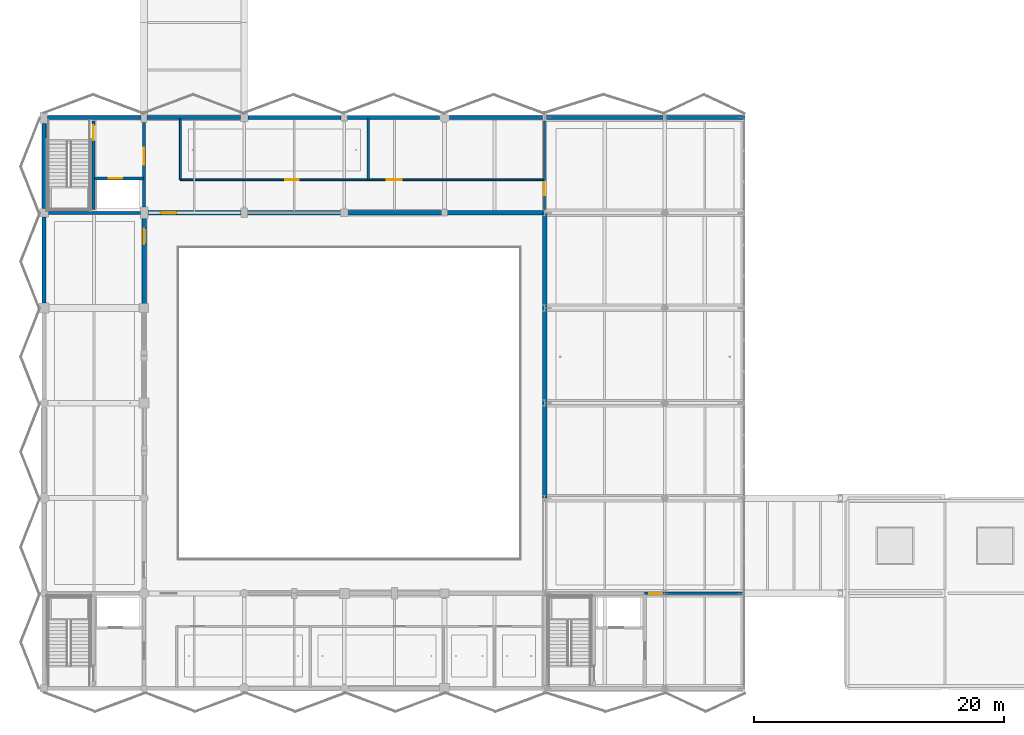
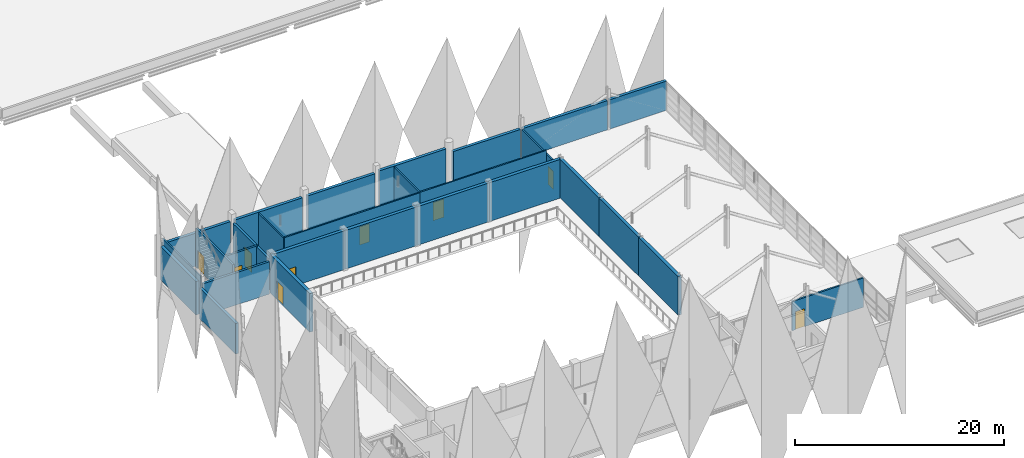
# One storey, part 70 of 107: 28 walls, 9 doors, 9 openings.
"""IFC4 building model written with IfcOpenShell, lengths in metres."""

import ifcopenshell
import ifcopenshell.guid

model = None  # the IFC model being written
_history = None  # IfcOwnerHistory: only IFC2X3 demands one
_inside = {}  # id of a spatial element -> (the spatial element, [elements in it])
_under = {}  # id of a project, library or spatial element -> (it, [spatial elements below it])
_declared = {}  # id of a project -> (the project, [libraries it declares])
_typed = {}  # id of a type object -> (the type object, [elements of that type])
_made_of = {}  # id of a material, layer set ... -> (it, [elements and type objects made of it])


def new_model(schema):
    """Start an empty IFC model of exactly this schema.

    Asked for "IFC4X3", IfcOpenShell would pick the latest addendum, in which some entities
    have other attributes; the version numbers below select the first issue.
    IFC2X3 requires an IfcOwnerHistory on every rooted entity: one is made here for all.
    """
    global model, _history
    if schema == "IFC4X3":
        model = ifcopenshell.file(schema_version=(4, 3, 0, 0))
    else:
        model = ifcopenshell.file(schema=schema)
    _inside.clear()
    _under.clear()
    _declared.clear()
    _typed.clear()
    _made_of.clear()
    _history = None
    if model.schema == "IFC2X3":
        org = make("IfcOrganization", Name="unknown")
        user = make(
            "IfcPersonAndOrganization",
            ThePerson=make("IfcPerson", FamilyName="unknown"),
            TheOrganization=org,
        )
        app = make(
            "IfcApplication",
            ApplicationDeveloper=org,
            Version="unknown",
            ApplicationFullName="unknown",
            ApplicationIdentifier="unknown",
        )
        _history = make(
            "IfcOwnerHistory",
            OwningUser=user,
            OwningApplication=app,
            ChangeAction="ADDED",
            CreationDate=0,
        )
    return model


def make(cls, **values):
    """One entity of the class cls with the attributes given. An attribute that is None is left unset."""
    return model.create_entity(
        cls, **{name: value for name, value in values.items() if value is not None}
    )


def rooted(cls, **values):
    """An entity with a GlobalId (a new one), such as an element, a storey or a relation."""
    return make(cls, GlobalId=ifcopenshell.guid.new(), OwnerHistory=_history, **values)


def si_unit(unit_type, name, prefix=None):
    """IfcSIUnit, for example si_unit("LENGTHUNIT", "METRE", prefix="MILLI")."""
    return make("IfcSIUnit", UnitType=unit_type, Prefix=prefix, Name=name)


def assignment(units):
    """IfcUnitAssignment: the units of a project."""
    return None if units is None else make("IfcUnitAssignment", Units=units)


def point(xyz):
    """IfcCartesianPoint."""
    return None if xyz is None else make("IfcCartesianPoint", Coordinates=xyz)


def direction(xyz):
    """IfcDirection."""
    return None if xyz is None else make("IfcDirection", DirectionRatios=xyz)


def frame(location, z_axis=None, x_axis=None):
    """IfcAxis2Placement3D, a coordinate frame: its origin and axes. An axis left out is left unset."""
    return make(
        "IfcAxis2Placement3D",
        Location=point(location),
        Axis=direction(z_axis),
        RefDirection=direction(x_axis),
    )


def frame_2d(location, x_axis=None):
    """IfcAxis2Placement2D, a coordinate frame in the plane: its origin and x axis."""
    return make(
        "IfcAxis2Placement2D", Location=point(location), RefDirection=direction(x_axis)
    )


def origin():
    """The frame at (0, 0, 0) with its axes left unset."""
    return frame((0.0, 0.0, 0.0))


def place(relative_to, where):
    """IfcLocalPlacement: puts the frame where relative to a parent placement (None: the world)."""
    return make(
        "IfcLocalPlacement", PlacementRelTo=relative_to, RelativePlacement=where
    )


def context(
    kind, dimensions, precision=None, world=None, true_north=None, identifier=None
):
    """IfcGeometricRepresentationContext, for example the 3D "Model" context."""
    return make(
        "IfcGeometricRepresentationContext",
        ContextIdentifier=identifier,
        ContextType=kind,
        CoordinateSpaceDimension=dimensions,
        Precision=precision,
        WorldCoordinateSystem=world,
        TrueNorth=true_north,
    )


def subcontext(parent, identifier, kind, view, scale=None):
    """IfcGeometricRepresentationSubContext, for example "Body" below "Model"."""
    return make(
        "IfcGeometricRepresentationSubContext",
        ContextIdentifier=identifier,
        ContextType=kind,
        ParentContext=parent,
        TargetScale=scale,
        TargetView=view,
    )


def project(units=None, contexts=None):
    """IfcProject with its units and contexts."""
    return rooted(
        "IfcProject",
        Name="project",
        RepresentationContexts=contexts,
        UnitsInContext=assignment(units),
    )


def spatial(cls, under=None, at=None, **own):
    """A site, building, storey or space (cls), placed at a placement, below another one or the project."""
    s = rooted(cls, ObjectPlacement=at, **own)
    if under is not None:
        _under.setdefault(under.id(), (under, []))[1].append(s)
    return s


def profile(cls, at=None, kind="AREA", **sizes):
    """A parametric profile (cls). Its sizes go by their IFC names, for example OverallWidth=200.0."""
    return make(cls, ProfileType=kind, Position=at, **sizes)


def rectangle(**sizes):
    """IfcRectangleProfileDef."""
    return profile("IfcRectangleProfileDef", **sizes)


def extrude(swept, where, along, depth):
    """IfcExtrudedAreaSolid: the profile swept, set in the frame where, extruded along a direction by depth."""
    return make(
        "IfcExtrudedAreaSolid",
        SweptArea=swept,
        Position=where,
        ExtrudedDirection=direction(along),
        Depth=depth,
    )


def shape(context_of_items, identifier, shape_type, items):
    """IfcShapeRepresentation: the items that make up one representation, for example the "Body"."""
    return make(
        "IfcShapeRepresentation",
        ContextOfItems=context_of_items,
        RepresentationIdentifier=identifier,
        RepresentationType=shape_type,
        Items=items,
    )


def material(Name=None, Category=None):
    """IfcMaterial."""
    return make("IfcMaterial", Name=Name, Category=Category)


def layer(
    of_material, thickness, ventilated=None, Name=None, Category=None, Priority=None
):
    """IfcMaterialLayer: one layer of a wall or slab, of a material (None: an air gap)."""
    return make(
        "IfcMaterialLayer",
        Material=of_material,
        LayerThickness=thickness,
        IsVentilated=ventilated,
        Name=Name,
        Category=Category,
        Priority=Priority,
    )


def layer_set(layers, Name=None):
    """IfcMaterialLayerSet."""
    return make("IfcMaterialLayerSet", MaterialLayers=layers, LayerSetName=Name)


def made_of(thing, what):
    """Note that an element or type object is made of a material, layer set ...; save() writes the relation."""
    if what is not None:
        _made_of.setdefault(what.id(), (what, []))[1].append(thing)
    return thing


def type_object(cls, material=None, **own):
    """A type object (cls), such as IfcWallType, which elements share."""
    return made_of(rooted(cls, **own), material)


def element(
    cls,
    number,
    at=None,
    inside=None,
    cuts=None,
    type_object=None,
    material=None,
    context=None,
    identifier="Body",
    shape_type=None,
    held_by="IfcProductDefinitionShape",
    body=None,
    shapes=None,
    **own,
):
    """One element of the class cls, such as IfcWall. Its Tag is "e" and its number.

    at: its placement. inside: the storey or other place that contains it. cuts: it is an
    opening in that element (IfcRelVoidsElement). A single representation is given by context,
    identifier, shape_type and body (its items); several are given by shapes. held_by: the class
    of the entity that holds the representations. save() writes the other relations.
    """
    e = rooted(cls, Tag="e%d" % number, ObjectPlacement=at, **own)
    if body is not None:
        shapes = [shape(context, identifier, shape_type, body)]
    if shapes is not None:
        e.Representation = make(held_by, Representations=shapes)
    if inside is not None:
        _inside.setdefault(inside.id(), (inside, []))[1].append(e)
    if cuts is not None:
        rooted(
            "IfcRelVoidsElement", RelatingBuildingElement=cuts, RelatedOpeningElement=e
        )
    if type_object is not None:
        _typed.setdefault(type_object.id(), (type_object, []))[1].append(e)
    return made_of(e, material)


def fill(opening, filler):
    """IfcRelFillsElement: the door or window that sits in an opening."""
    return rooted(
        "IfcRelFillsElement",
        RelatingOpeningElement=opening,
        RelatedBuildingElement=filler,
    )


def aggregate(whole, parts):
    """IfcRelAggregates: a whole, such as a stair, and the parts it consists of."""
    return rooted("IfcRelAggregates", RelatingObject=whole, RelatedObjects=parts)


def save(model, path):
    """Write the relations noted so far, then the file.

    IfcRelAggregates (storeys below a building ...), IfcRelContainedInSpatialStructure (elements
    in a storey), IfcRelDefinesByType, IfcRelAssociatesMaterial and IfcRelDeclares: one each for
    every whole, place, type object, material and project.
    """
    for whole, parts in _under.values():
        aggregate(whole, parts)
    for where, things in _inside.values():
        rooted(
            "IfcRelContainedInSpatialStructure",
            RelatedElements=things,
            RelatingStructure=where,
        )
    for kind, things in _typed.values():
        rooted("IfcRelDefinesByType", RelatedObjects=things, RelatingType=kind)
    for what, things in _made_of.values():
        rooted("IfcRelAssociatesMaterial", RelatedObjects=things, RelatingMaterial=what)
    for by, libraries in _declared.values():
        rooted("IfcRelDeclares", RelatingContext=by, RelatedDefinitions=libraries)
    model.write(path)


model = new_model("IFC4")

# Units and contexts
model_context = context("Model", 3, precision=1e-05, world=origin(), true_north=direction((0.0, 1.0)))
body_context = subcontext(model_context, "Body", "Model", "MODEL_VIEW")
ifc_project = project(units=[si_unit("LENGTHUNIT", "METRE"), si_unit("AREAUNIT", "SQUARE_METRE"), si_unit("VOLUMEUNIT", "CUBIC_METRE"), si_unit("PLANEANGLEUNIT", "RADIAN"), si_unit("MASSUNIT", "GRAM", prefix="KILO")], contexts=[model_context])

# Site, building, storey
site_placement = place(None, origin())
site = spatial("IfcSite", under=ifc_project, at=site_placement, CompositionType="ELEMENT")
building_placement = place(site_placement, origin())
building = spatial("IfcBuilding", under=site, at=building_placement, Name="Khelvaren Railside Concert Hall", CompositionType="ELEMENT")
storey_placement = place(building_placement, frame((0.0, 0.0, 15.0)))
storey = spatial("IfcBuildingStorey", under=building, at=storey_placement, Name="L03", CompositionType="ELEMENT", Elevation=15.0)

# Walls
ifc_material_1 = material(Name="Concrete C40/50", Category="concrete")
ifc_layer_1 = layer(ifc_material_1, 0.139892578125)
ifc_layer_set_1 = layer_set([ifc_layer_1], Name="Concrete C40/50")
wall_type_1 = type_object("IfcWallType", Name="CW17", PredefinedType="SOLIDWALL", material=ifc_layer_set_1)
wall_1_placement = place(storey_placement, frame((0.27490234375, 38.14990234375, 0.0), z_axis=(0.0, 0.0, 1.0), x_axis=(0.0, 1.0, 0.0)))
element("IfcWall", 1, at=wall_1_placement, inside=storey, type_object=wall_type_1, Name="Core Shaft Structural Liner Wall ST-11-L03", PredefinedType="SOLIDWALL", context=body_context, shape_type="SweptSolid", body=[
    extrude(rectangle(XDim=7.300048828125, YDim=0.139892578125, at=frame_2d((3.64990234375, 0.0))), origin(), (0.0, 0.0, 1.0), 4.530029296875),
])
ifc_layer_2 = layer(ifc_material_1, 0.25)
ifc_layer_set_2 = layer_set([ifc_layer_2], Name="Concrete C40/50")
wall_type_2 = type_object("IfcWallType", Name="CW82", PredefinedType="SOLIDWALL", material=ifc_layer_set_2)
wall_2_placement = place(storey_placement, frame((0.35009765625, 38.0, 0.0), z_axis=(0.0, 0.0, 1.0), x_axis=(1.0, 0.0, 0.0)))
element("IfcWall", 2, at=wall_2_placement, inside=storey, type_object=wall_type_2, Name="Core Enclosure Wall CWALL-ST-11-L03-S", PredefinedType="SOLIDWALL", context=body_context, shape_type="SweptSolid", body=[
    extrude(rectangle(XDim=7.349853515625, YDim=0.25, at=frame_2d((3.6748046875, 0.0))), origin(), (0.0, 0.0, 1.0), 3.77001953125),
])

# Wall, opening, door
wall_3_placement = place(storey_placement, frame((8.0, 38.449951171875, 0.0), z_axis=(0.0, 0.0, 1.0), x_axis=(0.0, 1.0, 0.0)))
wall_3 = element("IfcWall", 3, at=wall_3_placement, inside=storey, type_object=wall_type_2, Name="Core Enclosure Wall CWALL-ST-11-L03-E", PredefinedType="SOLIDWALL", context=body_context, shape_type="SweptSolid", body=[
    extrude(rectangle(XDim=6.775146484375, YDim=0.25, at=frame_2d((3.3876953125, 0.0))), origin(), (0.0, 0.0, 1.0), 3.7548828125),
])
opening_1_placement = place(wall_3_placement, frame((3.39990234375, 0.0, 0.0)))
opening_1 = element("IfcOpeningElement", 4, at=opening_1_placement, cuts=wall_3, Name="Opening FDR34", PredefinedType="OPENING", context=body_context, shape_type="SweptSolid", body=[
    extrude(rectangle(XDim=1.35009765625, YDim=2.199951171875, at=frame_2d((0.675048828125, 1.10009765625))), frame((0.0, 0.135009765625, 0.0), z_axis=(0.0, -1.0, 0.0), x_axis=(1.0, 0.0, 0.0)), (0.0, 0.0, 1.0), 0.27001953125),
])
ifc_material_2 = material(Name="Acoustic fire-rated timber-core steel frame door", Category="steel")
door_type_1 = type_object("IfcDoorType", Name="FDR34", OperationType="NOTDEFINED", PredefinedType="DOOR", material=ifc_material_2)
door_1_placement = place(opening_1_placement, origin())
door_1 = element("IfcDoor", 5, at=door_1_placement, inside=storey, type_object=door_type_1, Name="Interior Door DR-ST-11-L03-LOB", OperationType="SINGLE_SWING_LEFT", OverallHeight=2.199951171875, OverallWidth=1.35009765625, PredefinedType="DOOR", context=body_context, shape_type="SweptSolid", body=[
    extrude(rectangle(XDim=1.35009765625, YDim=2.199951171875, at=frame_2d((0.675048828125, 1.10009765625))), frame((0.0, 0.02490234375, 0.0), z_axis=(0.0, -1.0, 0.0), x_axis=(1.0, 0.0, 0.0)), (0.0, 0.0, 1.0), 0.050048828125),
])
fill(opening_1, door_1)

ifc_layer_3 = layer(ifc_material_1, 0.219970703125)
ifc_layer_set_3 = layer_set([ifc_layer_3], Name="Concrete C40/50")
wall_type_3 = type_object("IfcWallType", Name="CW97", PredefinedType="SOLIDWALL", material=ifc_layer_set_3)
wall_4_placement = place(storey_placement, frame((3.949951171875, 38.25, 0.0), z_axis=(0.0, 0.0, 1.0), x_axis=(0.0, 1.0, 0.0)))
wall_4 = element("IfcWall", 6, at=wall_4_placement, inside=storey, type_object=wall_type_3, Name="Core Enclosure Wall CWALL-ST-11-L03-MID", PredefinedType="SOLIDWALL", context=body_context, shape_type="SweptSolid", body=[
    extrude(rectangle(XDim=7.10009765625, YDim=0.219970703125, at=frame_2d((3.550048828125, 0.0))), origin(), (0.0, 0.0, 1.0), 4.530029296875),
])
opening_2_placement = place(wall_4_placement, frame((5.550048828125, 0.0, 0.0)))
opening_2 = element("IfcOpeningElement", 7, at=opening_2_placement, cuts=wall_4, Name="Opening FDR17", PredefinedType="OPENING", context=body_context, shape_type="SweptSolid", body=[
    extrude(rectangle(XDim=1.199951171875, YDim=2.14990234375, at=frame_2d((0.60009765625, 1.074951171875))), frame((0.0, 0.119873046875, 0.0), z_axis=(0.0, -1.0, 0.0), x_axis=(1.0, 0.0, 0.0)), (0.0, 0.0, 1.0), 0.239990234375),
])
door_type_2 = type_object("IfcDoorType", Name="FDR17", OperationType="NOTDEFINED", PredefinedType="DOOR", material=ifc_material_2)
door_2_placement = place(opening_2_placement, origin())
door_2 = element("IfcDoor", 8, at=door_2_placement, inside=storey, type_object=door_type_2, Name="Interior Door DR-ST-11-L03-ST", OperationType="SINGLE_SWING_RIGHT", OverallHeight=2.14990234375, OverallWidth=1.199951171875, PredefinedType="DOOR", context=body_context, shape_type="SweptSolid", body=[
    extrude(rectangle(XDim=1.199951171875, YDim=2.14990234375, at=frame_2d((0.60009765625, 1.074951171875))), frame((0.0, 0.02490234375, 0.0), z_axis=(0.0, -1.0, 0.0), x_axis=(1.0, 0.0, 0.0)), (0.0, 0.0, 1.0), 0.050048828125),
])
fill(opening_2, door_2)

wall_5_placement = place(storey_placement, frame((4.02001953125, 40.75, 0.0), z_axis=(0.0, 0.0, 1.0), x_axis=(1.0, 0.0, 0.0)))
wall_5 = element("IfcWall", 9, at=wall_5_placement, inside=storey, type_object=wall_type_3, Name="Core Enclosure Wall CWALL-ST-11-L03-SHF", PredefinedType="SOLIDWALL", context=body_context, shape_type="SweptSolid", body=[
    extrude(rectangle(XDim=3.929931640625, YDim=0.219970703125, at=frame_2d((1.96484375, 0.0))), origin(), (0.0, 0.0, 1.0), 3.8798828125),
])
opening_3_placement = place(wall_5_placement, frame((1.14990234375, 0.0, 0.0)))
opening_3 = element("IfcOpeningElement", 10, at=opening_3_placement, cuts=wall_5, Name="Opening LD-GL-01", PredefinedType="OPENING", context=body_context, shape_type="SweptSolid", body=[
    extrude(rectangle(XDim=1.10009765625, YDim=2.199951171875, at=frame_2d((0.550048828125, 1.10009765625))), frame((0.0, 0.119873046875, 0.0), z_axis=(0.0, -1.0, 0.0), x_axis=(1.0, 0.0, 0.0)), (0.0, 0.0, 1.0), 0.239990234375),
])
ifc_material_3 = material(Name="Fire-rated brushed stainless steel landing door", Category="steel")
door_type_3 = type_object("IfcDoorType", Name="LD96", OperationType="DOUBLE_DOOR_SLIDING", PredefinedType="DOOR", material=ifc_material_3)
door_3_placement = place(opening_3_placement, origin())
door_3 = element("IfcDoor", 11, at=door_3_placement, inside=storey, type_object=door_type_3, Name="Lift Landing Door LD-GL-01-L03", OperationType="DOUBLE_DOOR_SLIDING", OverallHeight=2.199951171875, OverallWidth=1.10009765625, PredefinedType="DOOR", context=body_context, shape_type="SweptSolid", body=[
    extrude(rectangle(XDim=1.10009765625, YDim=2.199951171875, at=frame_2d((0.550048828125, 1.10009765625))), frame((0.0, 0.02490234375, 0.0), z_axis=(0.0, -1.0, 0.0), x_axis=(1.0, 0.0, 0.0)), (0.0, 0.0, 1.0), 0.050048828125),
])
fill(opening_3, door_3)

# Walls
ifc_material_4 = material(Name="Board-marked architectural concrete C40/50", Category="concrete")
ifc_layer_4 = layer(ifc_material_4, 0.320068359375)
ifc_layer_set_4 = layer_set([ifc_layer_4], Name="Board-marked architectural concrete C40/50")
wall_type_4 = type_object("IfcWallType", Name="EW39", PredefinedType="SOLIDWALL", material=ifc_layer_set_4)
wall_6_placement = place(storey_placement, frame((0.0, 30.800048828125, 0.0), z_axis=(0.0, 0.0, 1.0), x_axis=(0.0, 1.0, 0.0)))
element("IfcWall", 12, at=wall_6_placement, inside=storey, type_object=wall_type_4, Name="V1 L03 Exterior Concrete Wall W-30", PredefinedType="SOLIDWALL", context=body_context, shape_type="SweptSolid", body=[
    extrude(rectangle(XDim=6.849853515625, YDim=0.320068359375, at=frame_2d((3.4248046875, 0.0))), origin(), (0.0, 0.0, 1.0), 3.570068359375),
])
wall_7_placement = place(storey_placement, frame((0.0, 38.35009765625, 0.0), z_axis=(0.0, 0.0, 1.0), x_axis=(0.0, 1.0, 0.0)))
element("IfcWall", 13, at=wall_7_placement, inside=storey, type_object=wall_type_4, Name="V1 L03 Exterior Concrete Wall W-38", PredefinedType="SOLIDWALL", context=body_context, shape_type="SweptSolid", body=[
    extrude(rectangle(XDim=6.7998046875, YDim=0.320068359375, at=frame_2d((3.39990234375, 0.0))), origin(), (0.0, 0.0, 1.0), 3.919921875),
])
for number, where, z_axis, x_axis, name in (
    (14, (0.300048828125, 45.60009765625, 0.0), (0.0, 0.0, 1.0), (1.0, 0.0, 0.0), "V1 L03 Exterior Concrete Wall N-0"),
    (15, (8.25, 45.60009765625, 0.0), (0.0, 0.0, 1.0), (1.0, 0.0, 0.0), "V1 L03 Exterior Concrete Wall N-8"),
    (16, (16.300048828125, 45.60009765625, 0.0), (0.0, 0.0, 1.0), (1.0, 0.0, 0.0), "V1 L03 Exterior Concrete Wall N-16"),
):
    element("IfcWall", number, at=place(storey_placement, frame(where, z_axis=z_axis, x_axis=x_axis)), inside=storey, type_object=wall_type_4, Name=name, PredefinedType="SOLIDWALL", context=body_context, shape_type="SweptSolid", body=[
        extrude(rectangle(XDim=7.449951171875, YDim=0.320068359375, at=frame_2d((3.72509765625, 0.0))), origin(), (0.0, 0.0, 1.0), 3.8701171875),
    ])
wall_8_placement = place(storey_placement, frame((24.25, 45.60009765625, 0.0), z_axis=(0.0, 0.0, 1.0), x_axis=(1.0, 0.0, 0.0)))
element("IfcWall", 17, at=wall_8_placement, inside=storey, type_object=wall_type_4, Name="V1 L03 Exterior Concrete Wall N-24", PredefinedType="SOLIDWALL", context=body_context, shape_type="SweptSolid", body=[
    extrude(rectangle(XDim=7.35009765625, YDim=0.320068359375, at=frame_2d((3.675048828125, 0.0))), origin(), (0.0, 0.0, 1.0), 4.02001953125),
])
wall_9_placement = place(storey_placement, frame((32.39990234375, 45.60009765625, 0.0), z_axis=(0.0, 0.0, 1.0), x_axis=(1.0, 0.0, 0.0)))
element("IfcWall", 18, at=wall_9_placement, inside=storey, type_object=wall_type_4, Name="V1 L03 Exterior Concrete Wall N-32", PredefinedType="SOLIDWALL", context=body_context, shape_type="SweptSolid", body=[
    extrude(rectangle(XDim=7.4501953125, YDim=0.320068359375, at=frame_2d((3.72509765625, 0.0))), origin(), (0.0, 0.0, 1.0), 3.419921875),
])
wall_10_placement = place(storey_placement, frame((40.14990234375, 45.60009765625, 0.0), z_axis=(0.0, 0.0, 1.0), x_axis=(1.0, 0.0, 0.0)))
element("IfcWall", 19, at=wall_10_placement, inside=storey, type_object=wall_type_4, Name="V1 L03 Exterior Concrete Wall N-40", PredefinedType="SOLIDWALL", context=body_context, shape_type="SweptSolid", body=[
    extrude(rectangle(XDim=9.300048828125, YDim=0.320068359375, at=frame_2d((4.64990234375, 0.0))), origin(), (0.0, 0.0, 1.0), 3.419921875),
])
wall_11_placement = place(storey_placement, frame((49.75, 45.60009765625, 0.0), z_axis=(0.0, 0.0, 1.0), x_axis=(1.0, 0.0, 0.0)))
element("IfcWall", 20, at=wall_11_placement, inside=storey, type_object=wall_type_4, Name="V1 L03 Exterior Concrete Wall N-50", PredefinedType="SOLIDWALL", context=body_context, shape_type="SweptSolid", body=[
    extrude(rectangle(XDim=6.25, YDim=0.320068359375, at=frame_2d((3.125, 0.0))), origin(), (0.0, 0.0, 1.0), 3.419921875),
])

# Wall, opening, door
ifc_material_5 = material(Name="Acoustic double-stud gypsum partition", Category="gypsum")
ifc_layer_5 = layer(ifc_material_5, 0.14990234375)
ifc_layer_set_5 = layer_set([ifc_layer_5], Name="Acoustic double-stud gypsum partition")
wall_type_5 = type_object("IfcWallType", Name="PT20", PredefinedType="PARTITIONING", material=ifc_layer_set_5)
wall_12_placement = place(storey_placement, frame((10.89990234375, 40.64990234375, 0.0), z_axis=(0.0, 0.0, 1.0), x_axis=(1.0, 0.0, 0.0)))
wall_12 = element("IfcWall", 21, at=wall_12_placement, inside=storey, type_object=wall_type_5, Name="Acoustic Partition Wall PW-V1-L03-N3-C01", PredefinedType="PARTITIONING", context=body_context, shape_type="SweptSolid", body=[
    extrude(rectangle(XDim=15.010009765625, YDim=0.14990234375, at=frame_2d((7.5048828125, 0.0))), origin(), (0.0, 0.0, 1.0), 3.830078125),
])
opening_4_placement = place(wall_12_placement, frame((8.362060546875, 0.0, 0.0)))
opening_4 = element("IfcOpeningElement", 22, at=opening_4_placement, cuts=wall_12, Name="Opening IDR45", PredefinedType="OPENING", context=body_context, shape_type="SweptSolid", body=[
    extrude(rectangle(XDim=1.10009765625, YDim=2.14990234375, at=frame_2d((0.550048828125, 1.074951171875))), frame((0.0, 0.0849609375, 0.0), z_axis=(0.0, -1.0, 0.0), x_axis=(1.0, 0.0, 0.0)), (0.0, 0.0, 1.0), 0.169921875),
])
ifc_material_6 = material(Name="Solid oak acoustic studio door", Category="wood")
door_type_4 = type_object("IfcDoorType", Name="IDR45", OperationType="NOTDEFINED", PredefinedType="DOOR", material=ifc_material_6)
door_4_placement = place(opening_4_placement, origin())
door_4 = element("IfcDoor", 23, at=door_4_placement, inside=storey, type_object=door_type_4, Name="Interior Door DR-V1-L03-N3-01", OperationType="SINGLE_SWING_RIGHT", OverallHeight=2.14990234375, OverallWidth=1.10009765625, PredefinedType="DOOR", context=body_context, shape_type="SweptSolid", body=[
    extrude(rectangle(XDim=1.10009765625, YDim=2.14990234375, at=frame_2d((0.550048828125, 1.074951171875))), frame((0.0, 0.02490234375, 0.0), z_axis=(0.0, -1.0, 0.0), x_axis=(1.0, 0.0, 0.0)), (0.0, 0.0, 1.0), 0.050048828125),
])
fill(opening_4, door_4)

wall_13_placement = place(storey_placement, frame((25.909912109375, 40.64990234375, 0.0), z_axis=(0.0, 0.0, 1.0), x_axis=(1.0, 0.0, 0.0)))
wall_13 = element("IfcWall", 24, at=wall_13_placement, inside=storey, type_object=wall_type_5, Name="Acoustic Partition Wall PW-V1-L03-N3-C02", PredefinedType="PARTITIONING", context=body_context, shape_type="SweptSolid", body=[
    extrude(rectangle(XDim=14.010009765625, YDim=0.14990234375, at=frame_2d((7.0048828125, 0.0))), origin(), (0.0, 0.0, 1.0), 3.885009765625),
])
opening_5_placement = place(wall_13_placement, frame((1.47705078125, 0.0, 0.0)))
opening_5 = element("IfcOpeningElement", 25, at=opening_5_placement, cuts=wall_13, Name="Opening IDR44", PredefinedType="OPENING", context=body_context, shape_type="SweptSolid", body=[
    extrude(rectangle(XDim=1.219970703125, YDim=2.14990234375, at=frame_2d((0.60986328125, 1.074951171875))), frame((0.0, 0.0849609375, 0.0), z_axis=(0.0, -1.0, 0.0), x_axis=(1.0, 0.0, 0.0)), (0.0, 0.0, 1.0), 0.169921875),
])
door_type_5 = type_object("IfcDoorType", Name="IDR44", OperationType="NOTDEFINED", PredefinedType="DOOR", material=ifc_material_6)
door_5_placement = place(opening_5_placement, origin())
door_5 = element("IfcDoor", 26, at=door_5_placement, inside=storey, type_object=door_type_5, Name="Interior Door DR-V1-L03-N3-02", OperationType="SINGLE_SWING_LEFT", OverallHeight=2.14990234375, OverallWidth=1.219970703125, PredefinedType="DOOR", context=body_context, shape_type="SweptSolid", body=[
    extrude(rectangle(XDim=1.219970703125, YDim=2.14990234375, at=frame_2d((0.60986328125, 1.074951171875))), frame((0.0, 0.02490234375, 0.0), z_axis=(0.0, -1.0, 0.0), x_axis=(1.0, 0.0, 0.0)), (0.0, 0.0, 1.0), 0.050048828125),
])
fill(opening_5, door_5)

# Wall
wall_14_placement = place(storey_placement, frame((10.89990234375, 40.64990234375, 0.0), z_axis=(0.0, 0.0, 1.0), x_axis=(0.0, 1.0, 0.0)))
element("IfcWall", 27, at=wall_14_placement, inside=storey, type_object=wall_type_5, Name="Acoustic Partition Wall PW-V1-L03-N3-W0", PredefinedType="PARTITIONING", context=body_context, shape_type="SweptSolid", body=[
    extrude(rectangle(XDim=4.8701171875, YDim=0.14990234375, at=frame_2d((2.43505859375, 0.0))), origin(), (0.0, 0.0, 1.0), 3.7548828125),
])

# Wall, opening, door
ifc_layer_6 = layer(ifc_material_5, 0.179931640625)
ifc_layer_set_6 = layer_set([ifc_layer_6], Name="Acoustic double-stud gypsum partition")
wall_type_6 = type_object("IfcWallType", Name="PT46", PredefinedType="PARTITIONING", material=ifc_layer_set_6)
wall_15_placement = place(storey_placement, frame((48.0, 7.60009765625, 0.0), z_axis=(0.0, 0.0, 1.0), x_axis=(1.0, 0.0, 0.0)))
wall_15 = element("IfcWall", 28, at=wall_15_placement, inside=storey, type_object=wall_type_6, Name="Acoustic Partition Wall PW-V1-L03-EAST-S", PredefinedType="PARTITIONING", context=body_context, shape_type="SweptSolid", body=[
    extrude(rectangle(XDim=7.8798828125, YDim=0.179931640625, at=frame_2d((3.93994140625, 0.0))), origin(), (0.0, 0.0, 1.0), 3.419921875),
])
opening_6_placement = place(wall_15_placement, frame((0.35009765625, 0.0, 0.0)))
opening_6 = element("IfcOpeningElement", 29, at=opening_6_placement, cuts=wall_15, Name="Opening IDR87", PredefinedType="OPENING", context=body_context, shape_type="SweptSolid", body=[
    extrude(rectangle(XDim=1.02001953125, YDim=2.10009765625, at=frame_2d((0.510009765625, 1.050048828125))), frame((0.0, 0.099853515625, 0.0), z_axis=(0.0, -1.0, 0.0), x_axis=(1.0, 0.0, 0.0)), (0.0, 0.0, 1.0), 0.199951171875),
])
door_type_6 = type_object("IfcDoorType", Name="IDR87", OperationType="NOTDEFINED", PredefinedType="DOOR", material=ifc_material_6)
door_6_placement = place(opening_6_placement, origin())
door_6 = element("IfcDoor", 30, at=door_6_placement, inside=storey, type_object=door_type_6, Name="Interior Door DR-V1-L03-EAST-LOB", OperationType="SINGLE_SWING_RIGHT", OverallHeight=2.10009765625, OverallWidth=1.02001953125, PredefinedType="DOOR", context=body_context, shape_type="SweptSolid", body=[
    extrude(rectangle(XDim=1.02001953125, YDim=2.10009765625, at=frame_2d((0.510009765625, 1.050048828125))), frame((0.0, 0.02490234375, 0.0), z_axis=(0.0, -1.0, 0.0), x_axis=(1.0, 0.0, 0.0)), (0.0, 0.0, 1.0), 0.050048828125),
])
fill(opening_6, door_6)

wall_16_placement = place(storey_placement, frame((40.0, 38.25, 0.0), z_axis=(0.0, 0.0, 1.0), x_axis=(0.0, 1.0, 0.0)))
wall_16 = element("IfcWall", 31, at=wall_16_placement, inside=storey, type_object=wall_type_6, Name="Acoustic Partition Wall PW-V1-L03-EAST-NW", PredefinedType="PARTITIONING", context=body_context, shape_type="SweptSolid", body=[
    extrude(rectangle(XDim=7.10009765625, YDim=0.179931640625, at=frame_2d((3.550048828125, 0.0))), origin(), (0.0, 0.0, 1.0), 3.419921875),
])
opening_7_placement = place(wall_16_placement, frame((1.14990234375, 0.0, 0.0)))
opening_7 = element("IfcOpeningElement", 32, at=opening_7_placement, cuts=wall_16, Name="Opening IDR36", PredefinedType="OPENING", context=body_context, shape_type="SweptSolid", body=[
    extrude(rectangle(XDim=1.050048828125, YDim=2.10009765625, at=frame_2d((0.52490234375, 1.050048828125))), frame((0.0, 0.099853515625, 0.0), z_axis=(0.0, -1.0, 0.0), x_axis=(1.0, 0.0, 0.0)), (0.0, 0.0, 1.0), 0.199951171875),
])
door_type_7 = type_object("IfcDoorType", Name="IDR36", OperationType="NOTDEFINED", PredefinedType="DOOR", material=ifc_material_6)
door_7_placement = place(opening_7_placement, origin())
door_7 = element("IfcDoor", 33, at=door_7_placement, inside=storey, type_object=door_type_7, Name="Interior Door DR-V1-L03-EAST-NC", OperationType="SINGLE_SWING_LEFT", OverallHeight=2.10009765625, OverallWidth=1.050048828125, PredefinedType="DOOR", context=body_context, shape_type="SweptSolid", body=[
    extrude(rectangle(XDim=1.050048828125, YDim=2.10009765625, at=frame_2d((0.52490234375, 1.050048828125))), frame((0.0, 0.02490234375, 0.0), z_axis=(0.0, -1.0, 0.0), x_axis=(1.0, 0.0, 0.0)), (0.0, 0.0, 1.0), 0.050048828125),
])
fill(opening_7, door_7)

# Wall
ifc_layer_7 = layer(ifc_material_5, 0.179931640625)
ifc_layer_set_7 = layer_set([ifc_layer_7], Name="Acoustic double-stud gypsum partition")
wall_type_7 = type_object("IfcWallType", Name="PT53", PredefinedType="PARTITIONING", material=ifc_layer_set_7)
wall_17_placement = place(storey_placement, frame((25.909912109375, 40.64990234375, 0.0), z_axis=(0.0, 0.0, 1.0), x_axis=(0.0, 1.0, 0.0)))
element("IfcWall", 34, at=wall_17_placement, inside=storey, type_object=wall_type_7, Name="Acoustic Partition Wall PW-V1-L03-N3-D01", PredefinedType="PARTITIONING", context=body_context, shape_type="SweptSolid", body=[
    extrude(rectangle(XDim=4.8701171875, YDim=0.179931640625, at=frame_2d((2.43505859375, 0.0))), origin(), (0.0, 0.0, 1.0), 3.89990234375),
])

# Wall, opening, door
ifc_layer_8 = layer(ifc_material_1, 0.35009765625)
ifc_layer_set_8 = layer_set([ifc_layer_8], Name="Concrete C40/50")
wall_type_8 = type_object("IfcWallType", Name="SW91", PredefinedType="SHEAR", material=ifc_layer_set_8)
wall_18_placement = place(storey_placement, frame((8.0, 38.0, 0.0), z_axis=(0.0, 0.0, 1.0), x_axis=(1.0, 0.0, 0.0)))
wall_18 = element("IfcWall", 35, at=wall_18_placement, inside=storey, type_object=wall_type_8, Name="V1 Acoustic Box Shear Wall L03 N1", PredefinedType="SHEAR", context=body_context, shape_type="SweptSolid", body=[
    extrude(rectangle(XDim=8.0, YDim=0.35009765625, at=frame_2d((4.0, 0.0))), origin(), (0.0, 0.0, 1.0), 4.530029296875),
])
opening_8_placement = place(wall_18_placement, frame((1.35009765625, 0.0, 0.0)))
opening_8 = element("IfcOpeningElement", 36, at=opening_8_placement, cuts=wall_18, Name="Opening ADR42", PredefinedType="OPENING", context=body_context, shape_type="SweptSolid", body=[
    extrude(rectangle(XDim=1.25, YDim=2.199951171875, at=frame_2d((0.625, 1.10009765625))), frame((0.0, 0.18505859375, 0.0), z_axis=(0.0, -1.0, 0.0), x_axis=(1.0, 0.0, 0.0)), (0.0, 0.0, 1.0), 0.3701171875),
])
ifc_material_7 = material(Name="Heavy acoustic double sound-lock fire door", Category="wood")
door_type_8 = type_object("IfcDoorType", Name="ADR42", OperationType="DOUBLE_DOOR_SINGLE_SWING", PredefinedType="DOOR", material=ifc_material_7)
door_8_placement = place(opening_8_placement, origin())
door_8 = element("IfcDoor", 37, at=door_8_placement, inside=storey, type_object=door_type_8, Name="Main Concert Hall Acoustic Sound-Lock Door L03-N1", OperationType="DOUBLE_DOOR_SINGLE_SWING", OverallHeight=2.199951171875, OverallWidth=1.25, PredefinedType="DOOR", context=body_context, shape_type="SweptSolid", body=[
    extrude(rectangle(XDim=1.25, YDim=2.199951171875, at=frame_2d((0.625, 1.10009765625))), frame((0.0, 0.02490234375, 0.0), z_axis=(0.0, -1.0, 0.0), x_axis=(1.0, 0.0, 0.0)), (0.0, 0.0, 1.0), 0.050048828125),
])
fill(opening_8, door_8)

# Walls
for number, where, z_axis, x_axis, name in (
    (38, (16.0, 38.0, 0.0), (0.0, 0.0, 1.0), (1.0, 0.0, 0.0), "V1 Acoustic Box Shear Wall L03 N2"),
    (39, (24.0, 38.0, 0.0), (0.0, 0.0, 1.0), (1.0, 0.0, 0.0), "V1 Acoustic Box Shear Wall L03 N3"),
    (40, (32.0, 38.0, 0.0), (0.0, 0.0, 1.0), (1.0, 0.0, 0.0), "V1 Acoustic Box Shear Wall L03 N4"),
):
    element("IfcWall", number, at=place(storey_placement, frame(where, z_axis=z_axis, x_axis=x_axis)), inside=storey, type_object=wall_type_8, Name=name, PredefinedType="SHEAR", context=body_context, shape_type="SweptSolid", body=[
        extrude(rectangle(XDim=8.0, YDim=0.35009765625, at=frame_2d((4.0, 0.0))), origin(), (0.0, 0.0, 1.0), 4.530029296875),
    ])

# Wall, opening, door
wall_19_placement = place(storey_placement, frame((8.0, 30.39990234375, 0.0), z_axis=(0.0, 0.0, 1.0), x_axis=(0.0, 1.0, 0.0)))
wall_19 = element("IfcWall", 41, at=wall_19_placement, inside=storey, type_object=wall_type_8, Name="V1 Acoustic Box Shear Wall L03 W4", PredefinedType="SHEAR", context=body_context, shape_type="SweptSolid", body=[
    extrude(rectangle(XDim=7.60009765625, YDim=0.35009765625, at=frame_2d((3.800048828125, 0.0))), origin(), (0.0, 0.0, 1.0), 4.530029296875),
])
opening_9_placement = place(wall_19_placement, frame((5.10009765625, 0.0, 0.0)))
opening_9 = element("IfcOpeningElement", 42, at=opening_9_placement, cuts=wall_19, Name="Opening ADR42", PredefinedType="OPENING", context=body_context, shape_type="SweptSolid", body=[
    extrude(rectangle(XDim=1.25, YDim=2.199951171875, at=frame_2d((0.625, 1.10009765625))), frame((0.0, 0.18505859375, 0.0), z_axis=(0.0, -1.0, 0.0), x_axis=(1.0, 0.0, 0.0)), (0.0, 0.0, 1.0), 0.3701171875),
])
door_9_placement = place(opening_9_placement, origin())
door_9 = element("IfcDoor", 43, at=door_9_placement, inside=storey, type_object=door_type_8, Name="Main Concert Hall Acoustic Sound-Lock Door L03-W4", OperationType="DOUBLE_DOOR_SINGLE_SWING", OverallHeight=2.199951171875, OverallWidth=1.25, PredefinedType="DOOR", context=body_context, shape_type="SweptSolid", body=[
    extrude(rectangle(XDim=1.25, YDim=2.199951171875, at=frame_2d((0.625, 1.10009765625))), frame((0.0, 0.02490234375, 0.0), z_axis=(0.0, -1.0, 0.0), x_axis=(1.0, 0.0, 0.0)), (0.0, 0.0, 1.0), 0.050048828125),
])
fill(opening_9, door_9)

# Walls
wall_20_placement = place(storey_placement, frame((40.0, 15.199951171875, 0.0), z_axis=(0.0, 0.0, 1.0), x_axis=(0.0, 1.0, 0.0)))
element("IfcWall", 44, at=wall_20_placement, inside=storey, type_object=wall_type_8, Name="V1 Acoustic Box Shear Wall L03 E2", PredefinedType="SHEAR", context=body_context, shape_type="SweptSolid", body=[
    extrude(rectangle(XDim=7.60009765625, YDim=0.35009765625, at=frame_2d((3.800048828125, 0.0))), origin(), (0.0, 0.0, 1.0), 4.530029296875),
])
wall_21_placement = place(storey_placement, frame((40.0, 22.800048828125, 0.0), z_axis=(0.0, 0.0, 1.0), x_axis=(0.0, 1.0, 0.0)))
element("IfcWall", 45, at=wall_21_placement, inside=storey, type_object=wall_type_8, Name="V1 Acoustic Box Shear Wall L03 E3", PredefinedType="SHEAR", context=body_context, shape_type="SweptSolid", body=[
    extrude(rectangle(XDim=7.599853515625, YDim=0.35009765625, at=frame_2d((3.7998046875, 0.0))), origin(), (0.0, 0.0, 1.0), 4.530029296875),
])
wall_22_placement = place(storey_placement, frame((40.0, 30.39990234375, 0.0), z_axis=(0.0, 0.0, 1.0), x_axis=(0.0, 1.0, 0.0)))
element("IfcWall", 46, at=wall_22_placement, inside=storey, type_object=wall_type_8, Name="V1 Acoustic Box Shear Wall L03 E4", PredefinedType="SHEAR", context=body_context, shape_type="SweptSolid", body=[
    extrude(rectangle(XDim=7.60009765625, YDim=0.35009765625, at=frame_2d((3.800048828125, 0.0))), origin(), (0.0, 0.0, 1.0), 4.530029296875),
])

save(model, "model.ifc")
